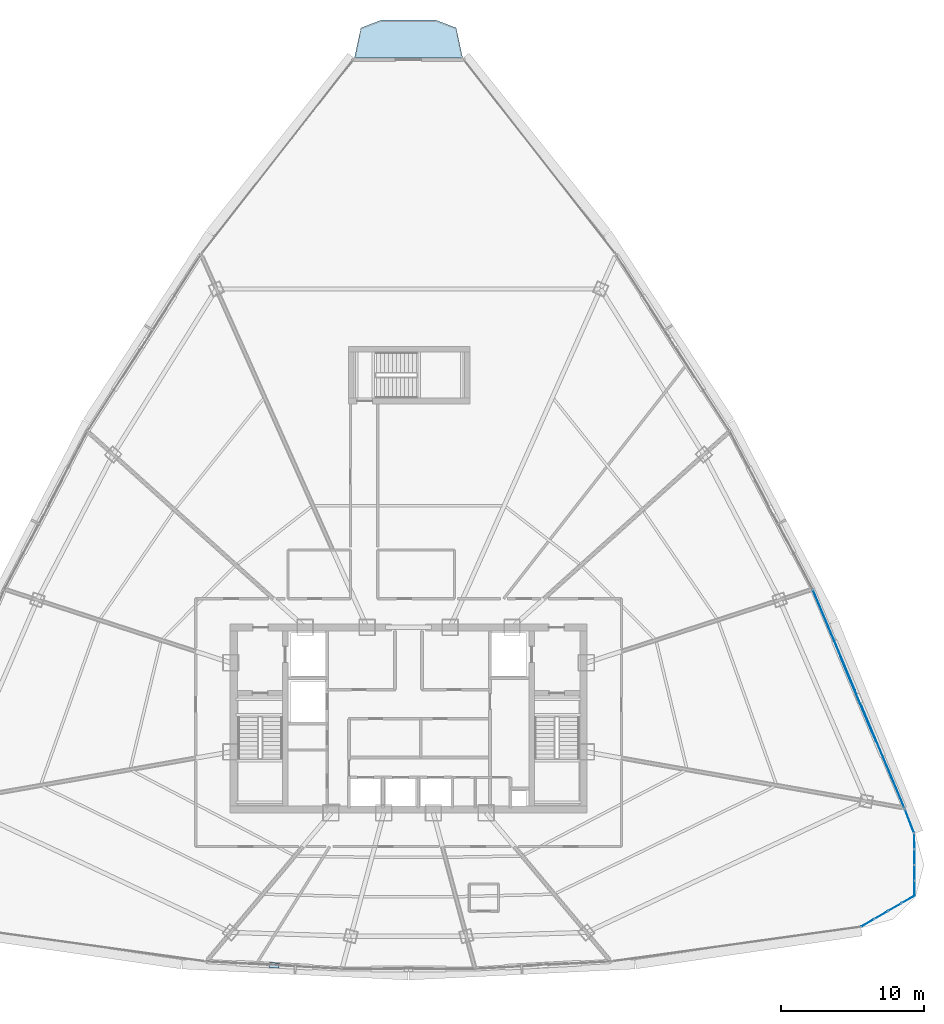
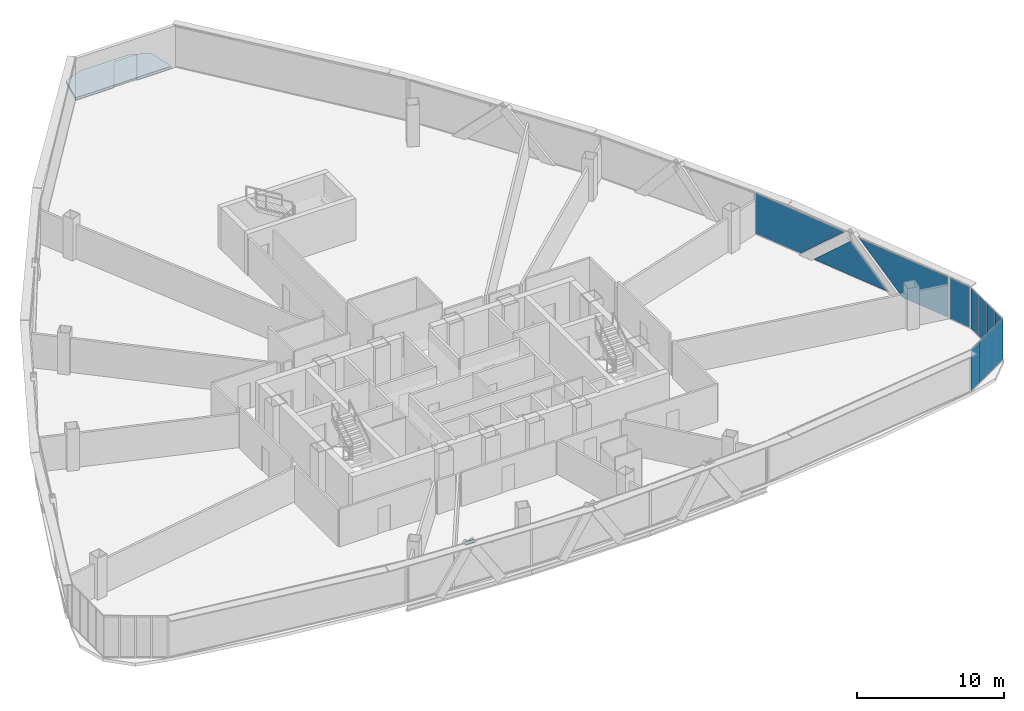
# One storey, part 29 of 36: 13 plates, 1 slab, 4 elements without a shape of their own.
"""IFC4 building model written with IfcOpenShell, lengths in metres."""

from ifc_helpers import new_model, si_unit, direction, frame, origin, origin_2d, place, context, subcontext, project, spatial, polyline, rectangle, outline, extrude, source, transform, mapped, material, layer, layer_set, type_object, element, aggregate, save


model = new_model("IFC4")

# Units and contexts
model_context = context("Model", 3, precision=1e-05, world=origin(), true_north=direction((0.0, 1.0)))
body_context = subcontext(model_context, "Body", "Model", "MODEL_VIEW")
ifc_project = project(units=[si_unit("LENGTHUNIT", "METRE"), si_unit("AREAUNIT", "SQUARE_METRE"), si_unit("VOLUMEUNIT", "CUBIC_METRE"), si_unit("PLANEANGLEUNIT", "RADIAN"), si_unit("MASSUNIT", "GRAM", prefix="KILO"), si_unit("THERMODYNAMICTEMPERATUREUNIT", "KELVIN"), si_unit("POWERUNIT", "WATT")], contexts=[model_context])

# Site, building, storey
site_placement = place(None, origin())
site = spatial("IfcSite", under=ifc_project, at=site_placement, CompositionType="ELEMENT")
building_placement = place(site_placement, origin())
building = spatial("IfcBuilding", under=site, at=building_placement, Name="Yunzhuo Pagoda Commons", CompositionType="ELEMENT")
storey_placement = place(building_placement, frame((0.0, 0.0, 244.530029296875)))
storey = spatial("IfcBuildingStorey", under=building, at=storey_placement, Name="L61", CompositionType="ELEMENT", Elevation=244.530029296875)

# Curtain wall, plates
ifc_material_1 = material(Name="Anodized aluminium 6063-T6", Category="aluminium")
ifc_layer_1 = layer(ifc_material_1, 0.139892578125)
ifc_layer_set_1 = layer_set([ifc_layer_1], Name="Anodized aluminium 6063-T6")
curtain_wall_type_1 = type_object("IfcCurtainWallType", Name="CW-HI High-Zone Ribbon Curtain Wall", PredefinedType="NOTDEFINED", material=ifc_layer_set_1)
curtain_wall_1_placement = place(storey_placement, origin())
curtain_wall_1 = element("IfcCurtainWall", 1, at=curtain_wall_1_placement, inside=storey, type_object=curtain_wall_type_1, Name="L61 curtain wall CW-L61-F2B2", PredefinedType="NOTDEFINED")
ifc_material_2 = material(Name="Tempered low-e double glazing", Category="glass")
ifc_layer_2 = layer(ifc_material_2, 0.02587890625)
ifc_layer_set_2 = layer_set([ifc_layer_2], Name="Tempered low-e double glazing")
plate_type_1 = type_object("IfcPlateType", Name="CW-HI-P Low-E Double Glazing 26", PredefinedType="CURTAIN_PANEL", material=ifc_layer_set_2)
plate_1_placement = place(storey_placement, frame((81.099365234375, 31.146484375, 1.73486328125), z_axis=(0.922008372235, 0.387169938824, 0.0), x_axis=(-0.387169938824, 0.922008372235, 0.0)))
plate_1 = element("IfcPlate", 2, at=plate_1_placement, type_object=plate_type_1, Name="CW panel 1.1 lite 1", PredefinedType="CURTAIN_PANEL", context=body_context, shape_type="SweptSolid", body=[
    extrude(outline(polyline([(-3.794189453125, -1.679931640625), (0.06640625, -1.679931640625), (3.794189453125, 1.679931640625), (-3.794189453125, 1.679931640625), (-3.794189453125, -1.679931640625)])), origin(), (0.0, 0.0, 1.0), 0.028076171875),
])
plate_2_placement = place(storey_placement, frame((79.359375, 35.212646484375, 1.506591796875), z_axis=(0.922008372235, 0.387169938824, 0.0), x_axis=(-0.387169938824, 0.922008372235, 0.0)))
plate_2 = element("IfcPlate", 3, at=plate_2_placement, type_object=plate_type_1, Name="CW panel 1.1 lite 2", PredefinedType="CURTAIN_PANEL", context=body_context, shape_type="SweptSolid", body=[
    extrude(outline(polyline([(-3.221435546875, -1.45166015625), (3.221435546875, -1.45166015625), (0.0, 1.45166015625), (-3.221435546875, -1.45166015625)])), origin(), (0.0, 0.0, 1.0), 0.028076171875),
])
plate_3_placement = place(storey_placement, frame((77.674560546875, 39.30224609375, 1.73486328125), z_axis=(0.922008372235, 0.387169938824, 0.0), x_axis=(-0.387169938824, 0.922008372235, 0.0)))
plate_3 = element("IfcPlate", 4, at=plate_3_placement, type_object=plate_type_1, Name="CW panel 1.1 lite 3", PredefinedType="CURTAIN_PANEL", context=body_context, shape_type="SweptSolid", body=[
    extrude(outline(polyline([(-3.794189453125, 1.679931640625), (-0.066162109375, -1.679931640625), (3.794189453125, -1.679931640625), (3.794189453125, 1.679931640625), (-3.794189453125, 1.679931640625)])), origin(), (0.0, 0.0, 1.0), 0.028076171875),
])
aggregate(curtain_wall_1, [plate_1, plate_2, plate_3])

# Slab
ifc_material_3 = material(Name="Concrete C40", Category="concrete")
ifc_layer_3 = layer(ifc_material_3, 0.199951171875)
ifc_layer_set_3 = layer_set([ifc_layer_3], Name="Concrete C40")
slab_type = type_object("IfcSlabType", Name="SL-BAL Vertex Balcony Deck Slab 200", PredefinedType="FLOOR", material=ifc_layer_set_3)
slab_placement = place(storey_placement, frame((0.0, 0.0, -0.199951171875)))
element("IfcSlab", 5, at=slab_placement, inside=storey, type_object=slab_type, Name="L61 corner balcony V3", PredefinedType="FLOOR", context=body_context, shape_type="SweptSolid", body=[
    extrude(outline(polyline([(51.773681640625, 79.934814453125), (44.226318359375, 79.934814453125), (44.676513671875, 82.02978515625), (46.11328125, 82.579833984375), (49.88671875, 82.579833984375), (51.323486328125, 82.02978515625), (51.773681640625, 79.934814453125)])), origin(), (0.0, 0.0, 1.0), 0.199951171875),
])

# Plate
ifc_material_4 = material(Name="Structural steel Q355B", Category="steel")
ifc_layer_4 = layer(ifc_material_4, 0.028076171875)
ifc_layer_set_4 = layer_set([ifc_layer_4], Name="Structural steel Q355B")
plate_type_2 = type_object("IfcPlateType", Name="SP-ND1 Lattice Node Cap Plate 800x500x28", PredefinedType="USERDEFINED", material=ifc_layer_set_4)
shared_shape_1 = source(origin(), body_context, "Body", "SweptSolid", [
    extrude(rectangle(XDim=0.699951171875, YDim=0.35009765625, at=origin_2d()), origin(), (0.0, 0.0, 1.0), 0.035888671875),
])
plate_4_placement = place(storey_placement, frame((38.623291015625, 16.626953125, 3.43212890625), z_axis=(0.0, 0.0, 1.0), x_axis=(0.998513930245, -0.054497074291, 0.0)))
element("IfcPlate", 6, at=plate_4_placement, inside=storey, type_object=plate_type_2, Name="L61 setback lattice tie plate F1.1L", ObjectType="STIFFENER_PLATE", PredefinedType="USERDEFINED", context=body_context, shape_type="MappedRepresentation", body=[
    mapped(shared_shape_1, transform((0.0, 0.0, 0.0), scale=1.0)),
])

# Curtain wall, plate
curtain_wall_2_placement = place(storey_placement, origin())
curtain_wall_2 = element("IfcCurtainWall", 7, at=curtain_wall_2_placement, inside=storey, type_object=curtain_wall_type_1, Name="L61 curtain wall CW-L61-F2B1", PredefinedType="NOTDEFINED")
shared_shape_2 = source(origin(), body_context, "Body", "SweptSolid", [
    extrude(rectangle(XDim=1.723876953125, YDim=0.028076171875, at=origin_2d()), origin(), (0.0, 0.0, 1.0), 3.360107421875),
])
plate_5_placement = place(storey_placement, frame((82.95947265625, 26.666748046875, 0.0546875), z_axis=(0.0, 0.0, 1.0), x_axis=(-0.356117115139, 0.934441330585, 0.0)))
plate_5 = element("IfcPlate", 8, at=plate_5_placement, type_object=plate_type_1, Name="CW panel 1.1", PredefinedType="CURTAIN_PANEL", context=body_context, shape_type="MappedRepresentation", body=[
    mapped(shared_shape_2, transform((0.0, 0.0, 0.0), scale=1.0)),
])
aggregate(curtain_wall_2, [plate_5])

# Curtain wall, plates
ifc_layer_5 = layer(ifc_material_1, 0.1298828125)
ifc_layer_set_5 = layer_set([ifc_layer_5], Name="Anodized aluminium 6063-T6")
curtain_wall_type_2 = type_object("IfcCurtainWallType", Name="CW-VTX Rounded Corner Curtain Wall", PredefinedType="NOTDEFINED", material=ifc_layer_set_5)
curtain_wall_3_placement = place(storey_placement, origin())
curtain_wall_3 = element("IfcCurtainWall", 9, at=curtain_wall_3_placement, inside=storey, type_object=curtain_wall_type_2, Name="L61 curtain wall CW-L61-VTX2S1", PredefinedType="NOTDEFINED")
ifc_layer_6 = layer(ifc_material_2, 0.02587890625)
ifc_layer_set_6 = layer_set([ifc_layer_6], Name="Tempered low-e double glazing")
plate_type_3 = type_object("IfcPlateType", Name="CW-VTX-P Low-E Double Glazing 26", PredefinedType="CURTAIN_PANEL", material=ifc_layer_set_6)
shared_shape_3 = source(origin(), body_context, "Body", "SweptSolid", [
    extrude(rectangle(XDim=1.01220703125, YDim=0.028076171875, at=origin_2d()), origin(), (0.0, 0.0, 1.0), 3.360107421875),
])
plate_6_placement = place(storey_placement, frame((80.03955078125, 19.58349609375, 0.0546875), z_axis=(0.0, 0.0, 1.0), x_axis=(0.865426806692, 0.501035370268, 0.0)))
plate_6 = element("IfcPlate", 10, at=plate_6_placement, type_object=plate_type_3, Name="CW panel 1.1", PredefinedType="CURTAIN_PANEL", context=body_context, shape_type="MappedRepresentation", body=[
    mapped(shared_shape_3, transform((0.0, 0.0, 0.0), scale=1.0)),
])
plate_7_placement = place(storey_placement, frame((82.85791015625, 21.215087890625, 0.0546875), z_axis=(0.0, 0.0, 1.0), x_axis=(0.865426806692, 0.501035370268, 0.0)))
plate_7 = element("IfcPlate", 11, at=plate_7_placement, type_object=plate_type_3, Name="CW panel 4.1", PredefinedType="CURTAIN_PANEL", context=body_context, shape_type="MappedRepresentation", body=[
    mapped(shared_shape_3, transform((0.0, 0.0, 0.0), scale=1.0)),
])

curtain_wall_4_placement = place(storey_placement, origin())
curtain_wall_4 = element("IfcCurtainWall", 12, at=curtain_wall_4_placement, inside=storey, type_object=curtain_wall_type_2, Name="L61 curtain wall CW-L61-VTX2S2", PredefinedType="NOTDEFINED")
plate_8_placement = place(storey_placement, frame((83.301513671875, 21.98779296875, 0.0546875), z_axis=(0.0, 0.0, 1.0), x_axis=(-0.003585679809, 0.999993571429, 0.0)))
plate_8 = element("IfcPlate", 13, at=plate_8_placement, type_object=plate_type_3, Name="CW panel 1.1", PredefinedType="CURTAIN_PANEL", context=body_context, shape_type="MappedRepresentation", body=[
    mapped(shared_shape_3, transform((0.0, 0.0, 0.0), scale=1.0)),
])
plate_9_placement = place(storey_placement, frame((83.289794921875, 25.244140625, 0.0546875), z_axis=(0.0, 0.0, 1.0), x_axis=(-0.003585679809, 0.999993571429, 0.0)))
plate_9 = element("IfcPlate", 14, at=plate_9_placement, type_object=plate_type_3, Name="CW panel 4.1", PredefinedType="CURTAIN_PANEL", context=body_context, shape_type="MappedRepresentation", body=[
    mapped(shared_shape_3, transform((0.0, 0.0, 0.0), scale=1.0)),
])

# Plate
shared_shape_4 = source(origin(), body_context, "Body", "SweptSolid", [
    extrude(rectangle(XDim=1.03955078125, YDim=0.028076171875, at=origin_2d()), origin(), (0.0, 0.0, 1.0), 3.360107421875),
])
plate_10_placement = place(storey_placement, frame((80.97509765625, 20.125244140625, 0.0546875), z_axis=(0.0, 0.0, 1.0), x_axis=(0.865426806692, 0.501035370268, 0.0)))
plate_10 = element("IfcPlate", 15, at=plate_10_placement, type_object=plate_type_3, Name="CW panel 2.1", PredefinedType="CURTAIN_PANEL", context=body_context, shape_type="MappedRepresentation", body=[
    mapped(shared_shape_4, transform((0.0, 0.0, 0.0), scale=1.0)),
])

plate_11_placement = place(storey_placement, frame((81.92236328125, 20.673583984375, 0.0546875), z_axis=(0.0, 0.0, 1.0), x_axis=(0.865426806692, 0.501035370268, 0.0)))
plate_11 = element("IfcPlate", 16, at=plate_11_placement, type_object=plate_type_3, Name="CW panel 3.1", PredefinedType="CURTAIN_PANEL", context=body_context, shape_type="MappedRepresentation", body=[
    mapped(shared_shape_4, transform((0.0, 0.0, 0.0), scale=1.0)),
])

aggregate(curtain_wall_3, [plate_6, plate_10, plate_11, plate_7])

plate_12_placement = place(storey_placement, frame((83.297607421875, 23.06884765625, 0.0546875), z_axis=(0.0, 0.0, 1.0), x_axis=(-0.003585679809, 0.999993571429, 0.0)))
plate_12 = element("IfcPlate", 17, at=plate_12_placement, type_object=plate_type_3, Name="CW panel 2.1", PredefinedType="CURTAIN_PANEL", context=body_context, shape_type="MappedRepresentation", body=[
    mapped(shared_shape_4, transform((0.0, 0.0, 0.0), scale=1.0)),
])

plate_13_placement = place(storey_placement, frame((83.293701171875, 24.163330078125, 0.0546875), z_axis=(0.0, 0.0, 1.0), x_axis=(-0.003585679809, 0.999993571429, 0.0)))
plate_13 = element("IfcPlate", 18, at=plate_13_placement, type_object=plate_type_3, Name="CW panel 3.1", PredefinedType="CURTAIN_PANEL", context=body_context, shape_type="MappedRepresentation", body=[
    mapped(shared_shape_4, transform((0.0, 0.0, 0.0), scale=1.0)),
])

aggregate(curtain_wall_4, [plate_8, plate_12, plate_13, plate_9])

save(model, "model.ifc")
